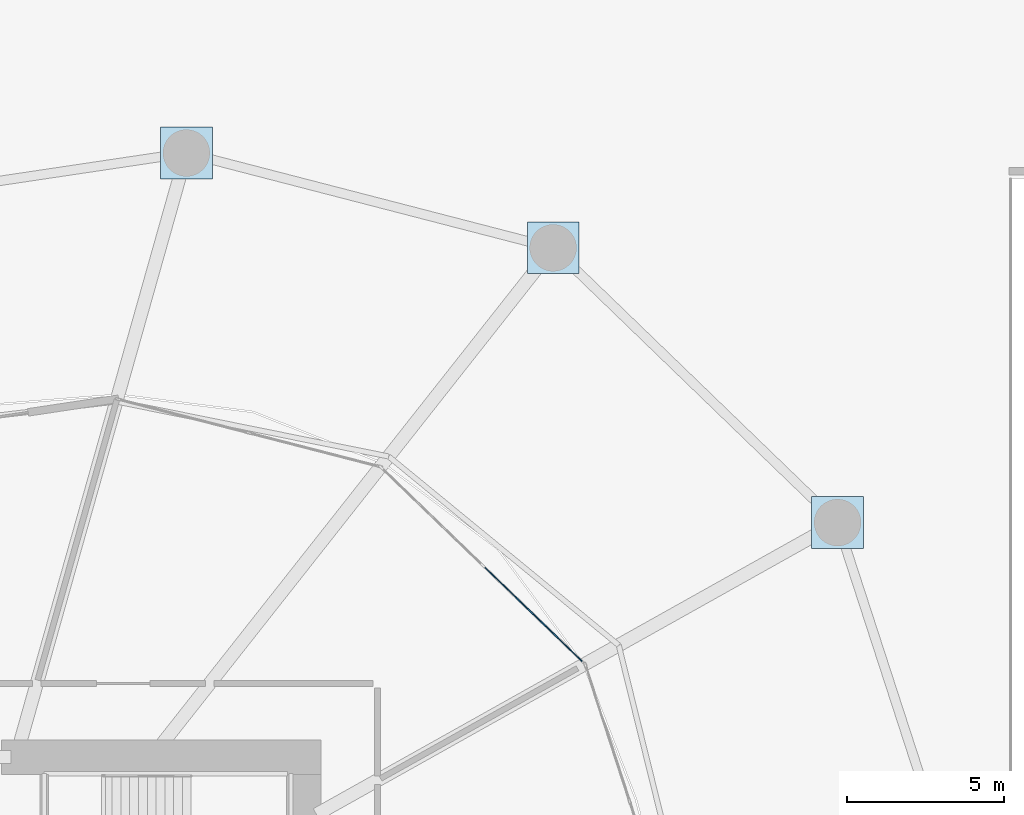
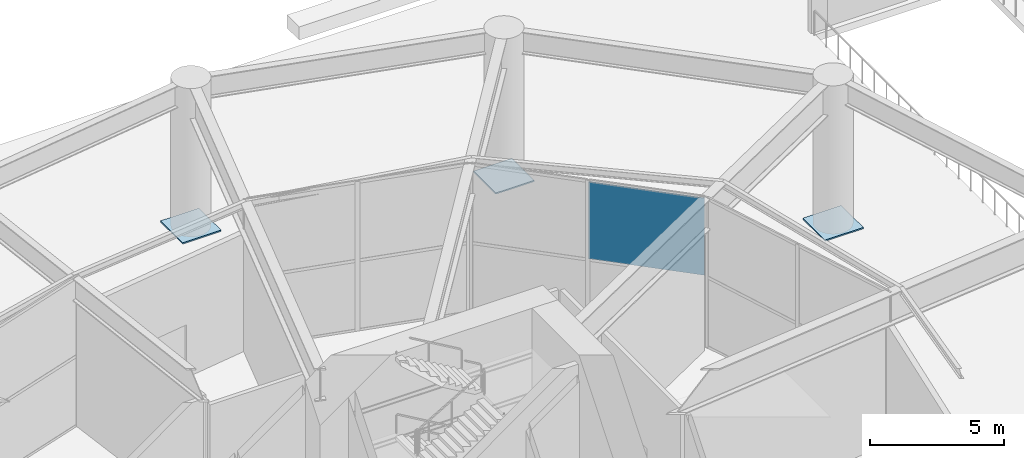
# One storey, part 18 of 28: 4 plates, 1 element without a shape of its own.
"""IFC4 building model written with IfcOpenShell, lengths in metres."""

from ifc_helpers import new_model, si_unit, direction, frame, origin, origin_2d, place, context, subcontext, project, spatial, rectangle, extrude, material, layer, layer_set, type_object, element, aggregate, save


model = new_model("IFC4")

# Units and contexts
model_context = context("Model", 3, precision=1e-05, world=origin(), true_north=direction((0.0, 1.0)))
body_context = subcontext(model_context, "Body", "Model", "MODEL_VIEW")
ifc_project = project(units=[si_unit("LENGTHUNIT", "METRE"), si_unit("AREAUNIT", "SQUARE_METRE"), si_unit("VOLUMEUNIT", "CUBIC_METRE"), si_unit("PLANEANGLEUNIT", "RADIAN"), si_unit("MASSUNIT", "GRAM", prefix="KILO")], contexts=[model_context])

# Site, building, storey
site_placement = place(None, origin())
site = spatial("IfcSite", under=ifc_project, at=site_placement, CompositionType="ELEMENT")
building_placement = place(site_placement, origin())
building = spatial("IfcBuilding", under=site, at=building_placement, Name="Kazma Halo Residences", CompositionType="ELEMENT")
storey_placement = place(building_placement, origin())
storey = spatial("IfcBuildingStorey", under=building, at=storey_placement, Name="L00", CompositionType="ELEMENT", Elevation=0.0)

# Curtain wall, plate
ifc_material_1 = material(Name="Aluminium AW-6063 T6 and Triple-Silver Low-E Glass", Category="aluminium")
ifc_layer_1 = layer(ifc_material_1, 0.179931640625)
ifc_layer_set_1 = layer_set([ifc_layer_1], Name="Aluminium AW-6063 T6 and Triple-Silver Low-E Glass")
curtain_wall_type = type_object("IfcCurtainWallType", Name="CW-SYS-1", PredefinedType="NOTDEFINED", material=ifc_layer_set_1)
curtain_wall_placement = place(storey_placement, origin())
curtain_wall = element("IfcCurtainWall", 1, at=curtain_wall_placement, inside=storey, type_object=curtain_wall_type, Name="L00 lobby unitised curtain wall 01", PredefinedType="NOTDEFINED")
ifc_material_2 = material(Name="Clear Triple-Silver Low-E Glass IGU", Category="glass")
ifc_layer_2 = layer(ifc_material_2, 0.031982421875)
ifc_layer_set_2 = layer_set([ifc_layer_2], Name="Clear Triple-Silver Low-E Glass IGU")
plate_type_1 = type_object("IfcPlateType", Name="CW-SYS-1-PNL", PredefinedType="CURTAIN_PANEL", material=ifc_layer_set_2)
plate_placement = place(storey_placement, frame((66.927734375, 55.10546875, 3.232421875), z_axis=(0.0, 0.0, 1.0), x_axis=(-0.719691561517, 0.694293926432, 0.0)))
plate = element("IfcPlate", 2, at=plate_placement, type_object=plate_type_1, Name="CWS-1 panel 1.2", PredefinedType="CURTAIN_PANEL", context=body_context, shape_type="SweptSolid", body=[
    extrude(rectangle(XDim=4.436279296875, YDim=0.031982421875, at=origin_2d()), origin(), (0.0, 0.0, 1.0), 3.50244140625),
])
aggregate(curtain_wall, [plate])

# Plates
ifc_material_3 = material(Name="Steel S355", Category="steel")
ifc_layer_3 = layer(ifc_material_3, 0.06005859375)
ifc_layer_set_3 = layer_set([ifc_layer_3], Name="Steel S355")
plate_type_2 = type_object("IfcPlateType", Name="PLT-BASE-60", PredefinedType="USERDEFINED", material=ifc_layer_set_3)
for number, where, z_axis, x_axis, name in (
    (3, (76.6328125, 58.03515625, 0.0), (0.0, 0.0, 1.0), (1.0, 0.0, 0.0), "L00 pilotis column base plate 01"),
    (4, (67.55322265625, 66.80322265625, 0.0), (0.0, 0.0, 1.0), (1.0, 0.0, 0.0), "L00 pilotis column base plate 02"),
    (5, (55.84912109375, 69.831298828125, 0.0), (0.0, 0.0, 1.0), (1.0, 0.0, 0.0), "L00 pilotis column base plate 03"),
):
    element("IfcPlate", number, at=place(storey_placement, frame(where, z_axis=z_axis, x_axis=x_axis)), inside=storey, type_object=plate_type_2, Name=name, ObjectType="FLANGE_PLATE", PredefinedType="USERDEFINED", context=body_context, shape_type="SweptSolid", body=[
        extrude(rectangle(XDim=1.64990234375, YDim=1.64990234375, at=origin_2d()), origin(), (0.0, 0.0, 1.0), 0.06005859375),
    ])

save(model, "model.ifc")
